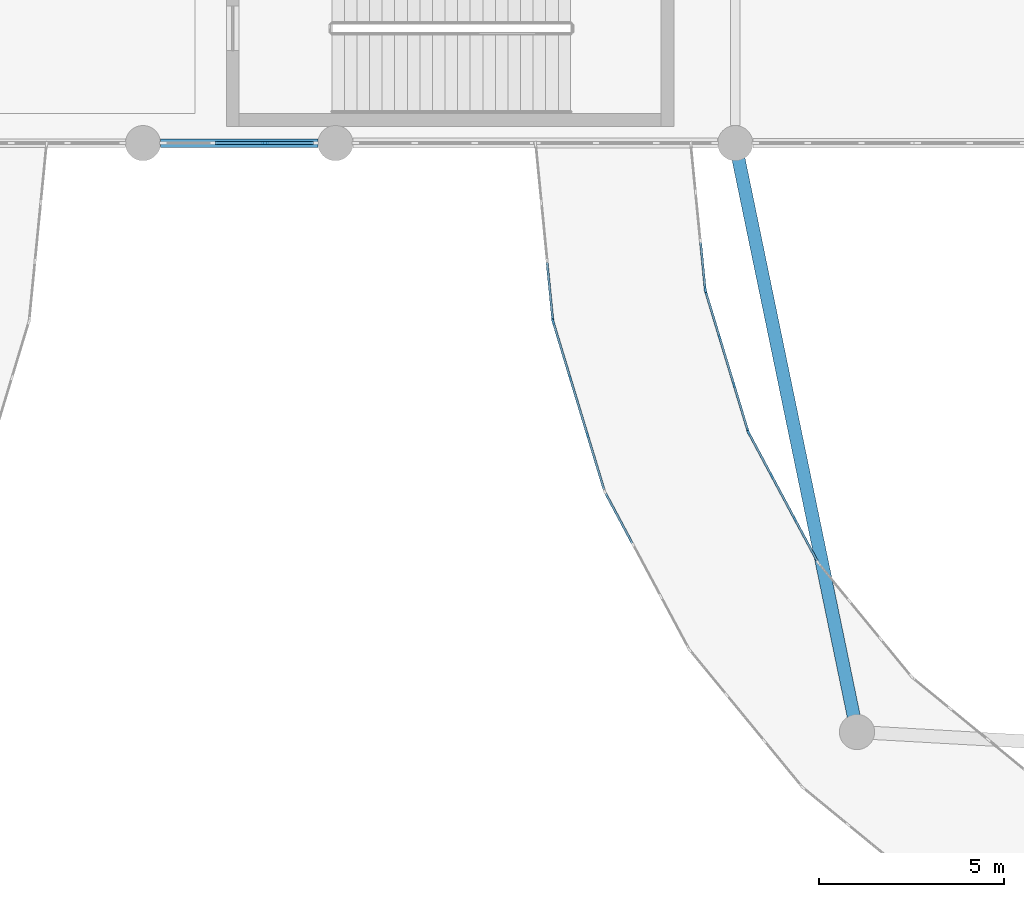
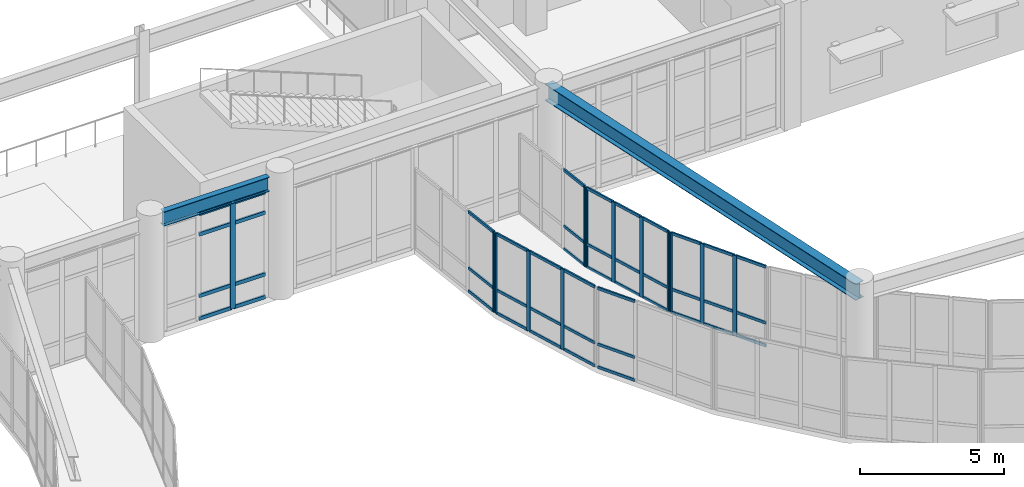
# One storey, part 28 of 72: 57 members, 2 beams, 7 elements without a shape of their own.
"""IFC4 building model written with IfcOpenShell, lengths in metres."""

from ifc_helpers import new_model, si_unit, direction, frame, origin, origin_2d, place, context, subcontext, project, spatial, rectangle, i_section, extrude, material, material_profile, profile_set, type_object, element, aggregate, save


model = new_model("IFC4")

# Units and contexts
model_context = context("Model", 3, precision=1e-05, world=origin(), true_north=direction((0.0, 1.0)))
body_context = subcontext(model_context, "Body", "Model", "MODEL_VIEW")
ifc_project = project(units=[si_unit("LENGTHUNIT", "METRE"), si_unit("AREAUNIT", "SQUARE_METRE"), si_unit("VOLUMEUNIT", "CUBIC_METRE"), si_unit("PLANEANGLEUNIT", "RADIAN"), si_unit("MASSUNIT", "GRAM", prefix="KILO")], contexts=[model_context])

# Site, building, storey
site_placement = place(None, origin())
site = spatial("IfcSite", under=ifc_project, at=site_placement, CompositionType="ELEMENT")
building_placement = place(site_placement, origin())
building = spatial("IfcBuilding", under=site, at=building_placement, Name="Veldera Park Congress Hotel", CompositionType="ELEMENT")
storey_placement = place(building_placement, frame((0.0, 0.0, 5.39990234375)))
storey = spatial("IfcBuildingStorey", under=building, at=storey_placement, Name="L01", CompositionType="ELEMENT", Elevation=5.39990234375)

# Beams
ifc_material_1 = material(Name="Steel ASTM A992 Gr.50", Category="steel")
ifc_material_profile_1 = material_profile(ifc_material_1, i_section(OverallWidth=0.22900390625, OverallDepth=0.612060546875, WebThickness=0.011962890625, FlangeThickness=0.01953125, at=origin_2d()), Name="W24X84")
ifc_profile_set_1 = profile_set([ifc_material_profile_1], Name="Steel ASTM A992 Gr.50")
beam_type_1 = type_object("IfcBeamType", Name="BM-W24", PredefinedType="BEAM", material=ifc_profile_set_1)
beam_1_placement = place(storey_placement, frame((26.074951171875, 17.39990234375, 4.82421875), z_axis=(1.0, 0.0, 0.0), x_axis=(0.0, 1.0, 0.0)))
element("IfcBeam", 1, at=beam_1_placement, inside=storey, type_object=beam_type_1, Name="L01 Girder BM-W24 603", PredefinedType="BEAM", context=body_context, shape_type="SweptSolid", body=[
    extrude(i_section(OverallWidth=0.22900390625, OverallDepth=0.612060546875, WebThickness=0.011962890625, FlangeThickness=0.01953125, at=origin_2d()), origin(), (0.0, 0.0, 1.0), 4.25),
])
ifc_material_profile_2 = material_profile(ifc_material_1, i_section(OverallWidth=0.35498046875, OverallDepth=0.696044921875, WebThickness=0.015380859375, FlangeThickness=0.02490234375, at=origin_2d()), Name="W27X146")
ifc_profile_set_2 = profile_set([ifc_material_profile_2], Name="Steel ASTM A992 Gr.50")
beam_type_2 = type_object("IfcBeamType", Name="BM-W27E", PredefinedType="BEAM", material=ifc_profile_set_2)
beam_2_placement = place(storey_placement, frame((44.89013671875, 1.489990234375, 4.7900390625), z_axis=(-0.202507214796, 0.979280770747, 0.0), x_axis=(-0.979280770747, -0.202507214796, 0.0)))
element("IfcBeam", 2, at=beam_2_placement, inside=storey, type_object=beam_type_2, Name="L01 Skybridge Support Girder B E", PredefinedType="BEAM", context=body_context, shape_type="SweptSolid", body=[
    extrude(i_section(OverallWidth=0.35498046875, OverallDepth=0.696044921875, WebThickness=0.015380859375, FlangeThickness=0.02490234375, at=origin_2d()), origin(), (0.0, 0.0, 1.0), 16.24658203125),
])

# Curtain wall, member
ifc_material_2 = material(Name="Low-E Triple Insulating Glass Unit (SHGC 0.22)", Category="glass")
curtain_wall_type_1 = type_object("IfcCurtainWallType", Name="CW-BRG", PredefinedType="NOTDEFINED", material=ifc_material_2)
curtain_wall_1_placement = place(storey_placement, origin())
curtain_wall_1 = element("IfcCurtainWall", 3, at=curtain_wall_1_placement, inside=storey, type_object=curtain_wall_type_1, Name="L01 Curtain Wall CW3-BRGE-L01-A00", PredefinedType="NOTDEFINED")
ifc_material_3 = material(Name="Anodised Aluminium Alloy 6063-T6", Category="aluminium")
ifc_material_profile_3 = material_profile(ifc_material_3, rectangle(XDim=0.06005859375, YDim=0.159912109375, at=origin_2d()), Name="ALU 60x160")
ifc_profile_set_3 = profile_set([ifc_material_profile_3], Name="Anodised Aluminium Alloy 6063-T6")
member_type_1 = type_object("IfcMemberType", Name="CWM-160", PredefinedType="MULLION", material=ifc_profile_set_3)
member_1_placement = place(storey_placement, frame((36.669677734375, 12.630615234375, 0.0), z_axis=(0.0, 0.0, 1.0), x_axis=(0.995184320963, 0.098021259481, 0.0)))
member_1 = element("IfcMember", 4, at=member_1_placement, type_object=member_type_1, Name="CW-BRG mullion 4", PredefinedType="MULLION", context=body_context, shape_type="SweptSolid", body=[
    extrude(rectangle(XDim=0.06005859375, YDim=0.159912109375, at=origin_2d()), origin(), (0.0, 0.0, 1.0), 3.400146484375),
])

# Curtain wall, members
curtain_wall_2_placement = place(storey_placement, origin())
curtain_wall_2 = element("IfcCurtainWall", 5, at=curtain_wall_2_placement, inside=storey, type_object=curtain_wall_type_1, Name="L01 Curtain Wall CW3-BRGE-L01-A01", PredefinedType="NOTDEFINED")
member_2_placement = place(storey_placement, frame((36.681396484375, 12.572021484375, 0.0), z_axis=(0.0, 0.0, 1.0), x_axis=(0.956939429957, 0.290287663177, 0.0)))
member_2 = element("IfcMember", 6, at=member_2_placement, type_object=member_type_1, Name="CW-BRG mullion 1", PredefinedType="MULLION", context=body_context, shape_type="SweptSolid", body=[
    extrude(rectangle(XDim=0.06005859375, YDim=0.159912109375, at=origin_2d()), origin(), (0.0, 0.0, 1.0), 3.400146484375),
])
member_3_placement = place(storey_placement, frame((37.139404296875, 11.0625, 0.0), z_axis=(0.0, 0.0, 1.0), x_axis=(0.956939429957, 0.290287663177, 0.0)))
member_3 = element("IfcMember", 7, at=member_3_placement, type_object=member_type_1, Name="CW-BRG mullion 2", PredefinedType="MULLION", context=body_context, shape_type="SweptSolid", body=[
    extrude(rectangle(XDim=0.06005859375, YDim=0.159912109375, at=origin_2d()), origin(), (0.0, 0.0, 1.0), 3.400146484375),
])
member_4_placement = place(storey_placement, frame((37.60595703125, 9.524169921875, 0.0), z_axis=(0.0, 0.0, 1.0), x_axis=(0.956939429957, 0.290287663177, 0.0)))
member_4 = element("IfcMember", 8, at=member_4_placement, type_object=member_type_1, Name="CW-BRG mullion 3", PredefinedType="MULLION", context=body_context, shape_type="SweptSolid", body=[
    extrude(rectangle(XDim=0.06005859375, YDim=0.159912109375, at=origin_2d()), origin(), (0.0, 0.0, 1.0), 3.400146484375),
])

curtain_wall_3_placement = place(storey_placement, origin())
curtain_wall_3 = element("IfcCurtainWall", 9, at=curtain_wall_3_placement, inside=storey, type_object=curtain_wall_type_1, Name="L01 Curtain Wall CW3-BRGE-L01-B14", PredefinedType="NOTDEFINED")
member_5_placement = place(storey_placement, frame((43.209716796875, 7.241943359375, 0.0), z_axis=(0.0, 0.0, 1.0), x_axis=(-0.881928263239, -0.471383642588, 0.0)))
member_5 = element("IfcMember", 10, at=member_5_placement, type_object=member_type_1, Name="CW-BRG mullion 2", PredefinedType="MULLION", context=body_context, shape_type="SweptSolid", body=[
    extrude(rectangle(XDim=0.06005859375, YDim=0.159912109375, at=origin_2d()), origin(), (0.0, 0.0, 1.0), 3.400146484375),
])
member_6_placement = place(storey_placement, frame((42.581298828125, 8.417724609375, 0.0), z_axis=(0.0, 0.0, 1.0), x_axis=(-0.881928263239, -0.471383642588, 0.0)))
member_6 = element("IfcMember", 11, at=member_6_placement, type_object=member_type_1, Name="CW-BRG mullion 3", PredefinedType="MULLION", context=body_context, shape_type="SweptSolid", body=[
    extrude(rectangle(XDim=0.06005859375, YDim=0.159912109375, at=origin_2d()), origin(), (0.0, 0.0, 1.0), 3.400146484375),
])
member_7_placement = place(storey_placement, frame((41.967041015625, 9.56689453125, 0.0), z_axis=(0.0, 0.0, 1.0), x_axis=(-0.881928263239, -0.471383642588, 0.0)))
member_7 = element("IfcMember", 12, at=member_7_placement, type_object=member_type_1, Name="CW-BRG mullion 4", PredefinedType="MULLION", context=body_context, shape_type="SweptSolid", body=[
    extrude(rectangle(XDim=0.06005859375, YDim=0.159912109375, at=origin_2d()), origin(), (0.0, 0.0, 1.0), 3.400146484375),
])

curtain_wall_4_placement = place(storey_placement, origin())
curtain_wall_4 = element("IfcCurtainWall", 13, at=curtain_wall_4_placement, inside=storey, type_object=curtain_wall_type_1, Name="L01 Curtain Wall CW3-BRGE-L01-B15", PredefinedType="NOTDEFINED")
member_8_placement = place(storey_placement, frame((41.944091796875, 9.6220703125, 0.0), z_axis=(0.0, 0.0, 1.0), x_axis=(-0.956938767513, -0.290289846929, 0.0)))
member_8 = element("IfcMember", 14, at=member_8_placement, type_object=member_type_1, Name="CW-BRG mullion 1", PredefinedType="MULLION", context=body_context, shape_type="SweptSolid", body=[
    extrude(rectangle(XDim=0.06005859375, YDim=0.159912109375, at=origin_2d()), origin(), (0.0, 0.0, 1.0), 3.400146484375),
])
member_9_placement = place(storey_placement, frame((41.56591796875, 10.868896484375, 0.0), z_axis=(0.0, 0.0, 1.0), x_axis=(-0.956938767513, -0.290289846929, 0.0)))
member_9 = element("IfcMember", 15, at=member_9_placement, type_object=member_type_1, Name="CW-BRG mullion 2", PredefinedType="MULLION", context=body_context, shape_type="SweptSolid", body=[
    extrude(rectangle(XDim=0.06005859375, YDim=0.159912109375, at=origin_2d()), origin(), (0.0, 0.0, 1.0), 3.400146484375),
])
member_10_placement = place(storey_placement, frame((41.178955078125, 12.14453125, 0.0), z_axis=(0.0, 0.0, 1.0), x_axis=(-0.956938767513, -0.290289846929, 0.0)))
member_10 = element("IfcMember", 16, at=member_10_placement, type_object=member_type_1, Name="CW-BRG mullion 3", PredefinedType="MULLION", context=body_context, shape_type="SweptSolid", body=[
    extrude(rectangle(XDim=0.06005859375, YDim=0.159912109375, at=origin_2d()), origin(), (0.0, 0.0, 1.0), 3.400146484375),
])
member_11_placement = place(storey_placement, frame((40.80078125, 13.3916015625, 0.0), z_axis=(0.0, 0.0, 1.0), x_axis=(-0.956938767513, -0.290289846929, 0.0)))
member_11 = element("IfcMember", 17, at=member_11_placement, type_object=member_type_1, Name="CW-BRG mullion 4", PredefinedType="MULLION", context=body_context, shape_type="SweptSolid", body=[
    extrude(rectangle(XDim=0.06005859375, YDim=0.159912109375, at=origin_2d()), origin(), (0.0, 0.0, 1.0), 3.400146484375),
])

# Curtain wall, member
curtain_wall_5_placement = place(storey_placement, origin())
curtain_wall_5 = element("IfcCurtainWall", 18, at=curtain_wall_5_placement, inside=storey, type_object=curtain_wall_type_1, Name="L01 Curtain Wall CW3-BRGE-L01-B16", PredefinedType="NOTDEFINED")
member_12_placement = place(storey_placement, frame((40.7890625, 13.449951171875, 0.0), z_axis=(0.0, 0.0, 1.0), x_axis=(-0.99518414337, -0.098023062513, 0.0)))
member_12 = element("IfcMember", 19, at=member_12_placement, type_object=member_type_1, Name="CW-BRG mullion 1", PredefinedType="MULLION", context=body_context, shape_type="SweptSolid", body=[
    extrude(rectangle(XDim=0.06005859375, YDim=0.159912109375, at=origin_2d()), origin(), (0.0, 0.0, 1.0), 3.400146484375),
])

curtain_wall_type_2 = type_object("IfcCurtainWallType", Name="CW-POD", PredefinedType="NOTDEFINED", material=ifc_material_2)
curtain_wall_6_placement = place(storey_placement, origin())
curtain_wall_6 = element("IfcCurtainWall", 20, at=curtain_wall_6_placement, inside=storey, type_object=curtain_wall_type_2, Name="L01 Curtain Wall CW3-V2S-L01-034", PredefinedType="NOTDEFINED")
ifc_material_profile_4 = material_profile(ifc_material_3, rectangle(XDim=0.074951171875, YDim=0.199951171875, at=origin_2d()), Name="ALU 75x200")
ifc_profile_set_4 = profile_set([ifc_material_profile_4], Name="Anodised Aluminium Alloy 6063-T6")
member_type_2 = type_object("IfcMemberType", Name="CWM-200", PredefinedType="MULLION", material=ifc_profile_set_4)
member_13_placement = place(storey_placement, frame((28.89501953125, 17.39990234375, 0.0), z_axis=(0.0, 0.0, 1.0), x_axis=(0.0, 1.0, 0.0)))
member_13 = element("IfcMember", 21, at=member_13_placement, type_object=member_type_2, Name="CW-POD mullion 3", PredefinedType="MULLION", context=body_context, shape_type="SweptSolid", body=[
    extrude(rectangle(XDim=0.074951171875, YDim=0.199951171875, at=origin_2d()), origin(), (0.0, 0.0, 1.0), 4.51318359375),
])

# Member
ifc_material_profile_5 = material_profile(ifc_material_3, rectangle(XDim=0.06005859375, YDim=0.1201171875, at=origin_2d()), Name="ALU 60x120")
ifc_profile_set_5 = profile_set([ifc_material_profile_5], Name="Anodised Aluminium Alloy 6063-T6")
member_type_3 = type_object("IfcMemberType", Name="CWT-120", PredefinedType="USERDEFINED", material=ifc_profile_set_5)
member_14_placement = place(storey_placement, frame((36.51806640625, 14.170654296875, 0.030029296875), z_axis=(0.097974467756, -0.99518892863, 0.0), x_axis=(0.99518892863, 0.097974467756, 0.0)))
member_14 = element("IfcMember", 22, at=member_14_placement, type_object=member_type_3, Name="CW-BRG transom 3.1", ObjectType="TRANSOM", PredefinedType="USERDEFINED", context=body_context, shape_type="SweptSolid", body=[
    extrude(rectangle(XDim=0.06005859375, YDim=0.1201171875, at=origin_2d()), origin(), (0.0, 0.0, 1.0), 1.517578125),
])

member_15_placement = place(storey_placement, frame((36.51806640625, 14.170654296875, 1.0), z_axis=(0.097974467756, -0.99518892863, 0.0), x_axis=(0.99518892863, 0.097974467756, 0.0)))
member_15 = element("IfcMember", 23, at=member_15_placement, type_object=member_type_3, Name="CW-BRG transom 3.2", ObjectType="TRANSOM", PredefinedType="USERDEFINED", context=body_context, shape_type="SweptSolid", body=[
    extrude(rectangle(XDim=0.06005859375, YDim=0.1201171875, at=origin_2d()), origin(), (0.0, 0.0, 1.0), 1.517578125),
])

member_16_placement = place(storey_placement, frame((36.51806640625, 14.170654296875, 3.3701171875), z_axis=(0.097974467756, -0.99518892863, 0.0), x_axis=(0.99518892863, 0.097974467756, 0.0)))
member_16 = element("IfcMember", 24, at=member_16_placement, type_object=member_type_3, Name="CW-BRG transom 3.3", ObjectType="TRANSOM", PredefinedType="USERDEFINED", context=body_context, shape_type="SweptSolid", body=[
    extrude(rectangle(XDim=0.06005859375, YDim=0.1201171875, at=origin_2d()), origin(), (0.0, 0.0, 1.0), 1.517578125),
])

aggregate(curtain_wall_1, [member_1, member_14, member_15, member_16])

member_17_placement = place(storey_placement, frame((36.690185546875, 12.54345703125, 0.030029296875), z_axis=(0.290239583177, -0.956954013711, 0.0), x_axis=(0.956954013711, 0.290239583177, 0.0)))
member_17 = element("IfcMember", 25, at=member_17_placement, type_object=member_type_3, Name="CW-BRG transom 1.1", ObjectType="TRANSOM", PredefinedType="USERDEFINED", context=body_context, shape_type="SweptSolid", body=[
    extrude(rectangle(XDim=0.06005859375, YDim=0.1201171875, at=origin_2d()), origin(), (0.0, 0.0, 1.0), 1.517578125),
])

member_18_placement = place(storey_placement, frame((36.690185546875, 12.54345703125, 1.0), z_axis=(0.290239583177, -0.956954013711, 0.0), x_axis=(0.956954013711, 0.290239583177, 0.0)))
member_18 = element("IfcMember", 26, at=member_18_placement, type_object=member_type_3, Name="CW-BRG transom 1.2", ObjectType="TRANSOM", PredefinedType="USERDEFINED", context=body_context, shape_type="SweptSolid", body=[
    extrude(rectangle(XDim=0.06005859375, YDim=0.1201171875, at=origin_2d()), origin(), (0.0, 0.0, 1.0), 1.517578125),
])

member_19_placement = place(storey_placement, frame((36.690185546875, 12.54345703125, 3.3701171875), z_axis=(0.290239583177, -0.956954013711, 0.0), x_axis=(0.956954013711, 0.290239583177, 0.0)))
member_19 = element("IfcMember", 27, at=member_19_placement, type_object=member_type_3, Name="CW-BRG transom 1.3", ObjectType="TRANSOM", PredefinedType="USERDEFINED", context=body_context, shape_type="SweptSolid", body=[
    extrude(rectangle(XDim=0.06005859375, YDim=0.1201171875, at=origin_2d()), origin(), (0.0, 0.0, 1.0), 1.517578125),
])

member_20_placement = place(storey_placement, frame((37.14794921875, 11.033935546875, 0.030029296875), z_axis=(0.29027008903, -0.9569447609, 0.0), x_axis=(0.9569447609, 0.29027008903, 0.0)))
member_20 = element("IfcMember", 28, at=member_20_placement, type_object=member_type_3, Name="CW-BRG transom 2.1", ObjectType="TRANSOM", PredefinedType="USERDEFINED", context=body_context, shape_type="SweptSolid", body=[
    extrude(rectangle(XDim=0.06005859375, YDim=0.1201171875, at=origin_2d()), origin(), (0.0, 0.0, 1.0), 1.547607421875),
])

member_21_placement = place(storey_placement, frame((37.14794921875, 11.033935546875, 1.0), z_axis=(0.29027008903, -0.9569447609, 0.0), x_axis=(0.9569447609, 0.29027008903, 0.0)))
member_21 = element("IfcMember", 29, at=member_21_placement, type_object=member_type_3, Name="CW-BRG transom 2.2", ObjectType="TRANSOM", PredefinedType="USERDEFINED", context=body_context, shape_type="SweptSolid", body=[
    extrude(rectangle(XDim=0.06005859375, YDim=0.1201171875, at=origin_2d()), origin(), (0.0, 0.0, 1.0), 1.547607421875),
])

member_22_placement = place(storey_placement, frame((37.14794921875, 11.033935546875, 3.3701171875), z_axis=(0.29027008903, -0.9569447609, 0.0), x_axis=(0.9569447609, 0.29027008903, 0.0)))
member_22 = element("IfcMember", 30, at=member_22_placement, type_object=member_type_3, Name="CW-BRG transom 2.3", ObjectType="TRANSOM", PredefinedType="USERDEFINED", context=body_context, shape_type="SweptSolid", body=[
    extrude(rectangle(XDim=0.06005859375, YDim=0.1201171875, at=origin_2d()), origin(), (0.0, 0.0, 1.0), 1.547607421875),
])

member_23_placement = place(storey_placement, frame((37.61474609375, 9.49560546875, 0.030029296875), z_axis=(0.290239583177, -0.956954013711, 0.0), x_axis=(0.956954013711, 0.290239583177, 0.0)))
member_23 = element("IfcMember", 31, at=member_23_placement, type_object=member_type_3, Name="CW-BRG transom 3.1", ObjectType="TRANSOM", PredefinedType="USERDEFINED", context=body_context, shape_type="SweptSolid", body=[
    extrude(rectangle(XDim=0.06005859375, YDim=0.1201171875, at=origin_2d()), origin(), (0.0, 0.0, 1.0), 1.517578125),
])

member_24_placement = place(storey_placement, frame((37.61474609375, 9.49560546875, 1.0), z_axis=(0.290239583177, -0.956954013711, 0.0), x_axis=(0.956954013711, 0.290239583177, 0.0)))
member_24 = element("IfcMember", 32, at=member_24_placement, type_object=member_type_3, Name="CW-BRG transom 3.2", ObjectType="TRANSOM", PredefinedType="USERDEFINED", context=body_context, shape_type="SweptSolid", body=[
    extrude(rectangle(XDim=0.06005859375, YDim=0.1201171875, at=origin_2d()), origin(), (0.0, 0.0, 1.0), 1.517578125),
])

member_25_placement = place(storey_placement, frame((37.61474609375, 9.49560546875, 3.3701171875), z_axis=(0.290239583177, -0.956954013711, 0.0), x_axis=(0.956954013711, 0.290239583177, 0.0)))
member_25 = element("IfcMember", 33, at=member_25_placement, type_object=member_type_3, Name="CW-BRG transom 3.3", ObjectType="TRANSOM", PredefinedType="USERDEFINED", context=body_context, shape_type="SweptSolid", body=[
    extrude(rectangle(XDim=0.06005859375, YDim=0.1201171875, at=origin_2d()), origin(), (0.0, 0.0, 1.0), 1.517578125),
])

aggregate(curtain_wall_2, [member_2, member_3, member_4, member_17, member_18, member_19, member_20, member_21, member_22, member_23, member_24, member_25])

# Curtain wall, members
curtain_wall_7_placement = place(storey_placement, origin())
curtain_wall_7 = element("IfcCurtainWall", 34, at=curtain_wall_7_placement, inside=storey, type_object=curtain_wall_type_1, Name="L01 Curtain Wall CW3-BRGE-L01-A02", PredefinedType="NOTDEFINED")
member_26_placement = place(storey_placement, frame((38.100830078125, 7.93310546875, 0.030029296875), z_axis=(0.4713729563, -0.881933974892, 0.0), x_axis=(0.881933974892, 0.4713729563, 0.0)))
member_26 = element("IfcMember", 35, at=member_26_placement, type_object=member_type_3, Name="CW-BRG transom 1.1", ObjectType="TRANSOM", PredefinedType="USERDEFINED", context=body_context, shape_type="SweptSolid", body=[
    extrude(rectangle(XDim=0.06005859375, YDim=0.1201171875, at=origin_2d()), origin(), (0.0, 0.0, 1.0), 1.517578125),
])
member_27_placement = place(storey_placement, frame((38.100830078125, 7.93310546875, 1.0), z_axis=(0.4713729563, -0.881933974892, 0.0), x_axis=(0.881933974892, 0.4713729563, 0.0)))
member_27 = element("IfcMember", 36, at=member_27_placement, type_object=member_type_3, Name="CW-BRG transom 1.2", ObjectType="TRANSOM", PredefinedType="USERDEFINED", context=body_context, shape_type="SweptSolid", body=[
    extrude(rectangle(XDim=0.06005859375, YDim=0.1201171875, at=origin_2d()), origin(), (0.0, 0.0, 1.0), 1.517578125),
])
member_28_placement = place(storey_placement, frame((38.100830078125, 7.93310546875, 3.3701171875), z_axis=(0.4713729563, -0.881933974892, 0.0), x_axis=(0.881933974892, 0.4713729563, 0.0)))
member_28 = element("IfcMember", 37, at=member_28_placement, type_object=member_type_3, Name="CW-BRG transom 1.3", ObjectType="TRANSOM", PredefinedType="USERDEFINED", context=body_context, shape_type="SweptSolid", body=[
    extrude(rectangle(XDim=0.06005859375, YDim=0.1201171875, at=origin_2d()), origin(), (0.0, 0.0, 1.0), 1.517578125),
])
aggregate(curtain_wall_7, [member_26, member_27, member_28])

# Member
member_29_placement = place(storey_placement, frame((43.809814453125, 6.119384765625, 0.030029296875), z_axis=(-0.471403611449, 0.881917589752, 0.0), x_axis=(-0.881917589752, -0.471403611449, 0.0)))
member_29 = element("IfcMember", 38, at=member_29_placement, type_object=member_type_3, Name="CW-BRG transom 1.1", ObjectType="TRANSOM", PredefinedType="USERDEFINED", context=body_context, shape_type="SweptSolid", body=[
    extrude(rectangle(XDim=0.06005859375, YDim=0.1201171875, at=origin_2d()), origin(), (0.0, 0.0, 1.0), 1.242919921875),
])

member_30_placement = place(storey_placement, frame((43.809814453125, 6.119384765625, 1.0), z_axis=(-0.471403611449, 0.881917589752, 0.0), x_axis=(-0.881917589752, -0.471403611449, 0.0)))
member_30 = element("IfcMember", 39, at=member_30_placement, type_object=member_type_3, Name="CW-BRG transom 1.2", ObjectType="TRANSOM", PredefinedType="USERDEFINED", context=body_context, shape_type="SweptSolid", body=[
    extrude(rectangle(XDim=0.06005859375, YDim=0.1201171875, at=origin_2d()), origin(), (0.0, 0.0, 1.0), 1.242919921875),
])

member_31_placement = place(storey_placement, frame((43.809814453125, 6.119384765625, 3.3701171875), z_axis=(-0.471403611449, 0.881917589752, 0.0), x_axis=(-0.881917589752, -0.471403611449, 0.0)))
member_31 = element("IfcMember", 40, at=member_31_placement, type_object=member_type_3, Name="CW-BRG transom 1.3", ObjectType="TRANSOM", PredefinedType="USERDEFINED", context=body_context, shape_type="SweptSolid", body=[
    extrude(rectangle(XDim=0.06005859375, YDim=0.1201171875, at=origin_2d()), origin(), (0.0, 0.0, 1.0), 1.242919921875),
])

member_32_placement = place(storey_placement, frame((43.195556640625, 7.2685546875, 0.030029296875), z_axis=(-0.471444144802, 0.881895922619, 0.0), x_axis=(-0.881895922619, -0.471444144802, 0.0)))
member_32 = element("IfcMember", 41, at=member_32_placement, type_object=member_type_3, Name="CW-BRG transom 2.1", ObjectType="TRANSOM", PredefinedType="USERDEFINED", context=body_context, shape_type="SweptSolid", body=[
    extrude(rectangle(XDim=0.06005859375, YDim=0.1201171875, at=origin_2d()), origin(), (0.0, 0.0, 1.0), 1.27294921875),
])

member_33_placement = place(storey_placement, frame((43.195556640625, 7.2685546875, 1.0), z_axis=(-0.471444144802, 0.881895922619, 0.0), x_axis=(-0.881895922619, -0.471444144802, 0.0)))
member_33 = element("IfcMember", 42, at=member_33_placement, type_object=member_type_3, Name="CW-BRG transom 2.2", ObjectType="TRANSOM", PredefinedType="USERDEFINED", context=body_context, shape_type="SweptSolid", body=[
    extrude(rectangle(XDim=0.06005859375, YDim=0.1201171875, at=origin_2d()), origin(), (0.0, 0.0, 1.0), 1.27294921875),
])

member_34_placement = place(storey_placement, frame((43.195556640625, 7.2685546875, 3.3701171875), z_axis=(-0.471444144802, 0.881895922619, 0.0), x_axis=(-0.881895922619, -0.471444144802, 0.0)))
member_34 = element("IfcMember", 43, at=member_34_placement, type_object=member_type_3, Name="CW-BRG transom 2.3", ObjectType="TRANSOM", PredefinedType="USERDEFINED", context=body_context, shape_type="SweptSolid", body=[
    extrude(rectangle(XDim=0.06005859375, YDim=0.1201171875, at=origin_2d()), origin(), (0.0, 0.0, 1.0), 1.27294921875),
])

member_35_placement = place(storey_placement, frame((42.567138671875, 8.444091796875, 0.030029296875), z_axis=(-0.471403611449, 0.881917589752, 0.0), x_axis=(-0.881917589752, -0.471403611449, 0.0)))
member_35 = element("IfcMember", 44, at=member_35_placement, type_object=member_type_3, Name="CW-BRG transom 3.1", ObjectType="TRANSOM", PredefinedType="USERDEFINED", context=body_context, shape_type="SweptSolid", body=[
    extrude(rectangle(XDim=0.06005859375, YDim=0.1201171875, at=origin_2d()), origin(), (0.0, 0.0, 1.0), 1.242919921875),
])

member_36_placement = place(storey_placement, frame((42.567138671875, 8.444091796875, 1.0), z_axis=(-0.471403611449, 0.881917589752, 0.0), x_axis=(-0.881917589752, -0.471403611449, 0.0)))
member_36 = element("IfcMember", 45, at=member_36_placement, type_object=member_type_3, Name="CW-BRG transom 3.2", ObjectType="TRANSOM", PredefinedType="USERDEFINED", context=body_context, shape_type="SweptSolid", body=[
    extrude(rectangle(XDim=0.06005859375, YDim=0.1201171875, at=origin_2d()), origin(), (0.0, 0.0, 1.0), 1.242919921875),
])

member_37_placement = place(storey_placement, frame((42.567138671875, 8.444091796875, 3.3701171875), z_axis=(-0.471403611449, 0.881917589752, 0.0), x_axis=(-0.881917589752, -0.471403611449, 0.0)))
member_37 = element("IfcMember", 46, at=member_37_placement, type_object=member_type_3, Name="CW-BRG transom 3.3", ObjectType="TRANSOM", PredefinedType="USERDEFINED", context=body_context, shape_type="SweptSolid", body=[
    extrude(rectangle(XDim=0.06005859375, YDim=0.1201171875, at=origin_2d()), origin(), (0.0, 0.0, 1.0), 1.242919921875),
])

aggregate(curtain_wall_3, [member_5, member_6, member_7, member_29, member_30, member_31, member_32, member_33, member_34, member_35, member_36, member_37])

member_38_placement = place(storey_placement, frame((41.935546875, 9.650634765625, 0.030029296875), z_axis=(-0.290247202296, 0.956951702835, 0.0), x_axis=(-0.956951702835, -0.290247202296, 0.0)))
member_38 = element("IfcMember", 47, at=member_38_placement, type_object=member_type_3, Name="CW-BRG transom 1.1", ObjectType="TRANSOM", PredefinedType="USERDEFINED", context=body_context, shape_type="SweptSolid", body=[
    extrude(rectangle(XDim=0.06005859375, YDim=0.1201171875, at=origin_2d()), origin(), (0.0, 0.0, 1.0), 1.2431640625),
])

member_39_placement = place(storey_placement, frame((41.935546875, 9.650634765625, 1.0), z_axis=(-0.290247202296, 0.956951702835, 0.0), x_axis=(-0.956951702835, -0.290247202296, 0.0)))
member_39 = element("IfcMember", 48, at=member_39_placement, type_object=member_type_3, Name="CW-BRG transom 1.2", ObjectType="TRANSOM", PredefinedType="USERDEFINED", context=body_context, shape_type="SweptSolid", body=[
    extrude(rectangle(XDim=0.06005859375, YDim=0.1201171875, at=origin_2d()), origin(), (0.0, 0.0, 1.0), 1.2431640625),
])

member_40_placement = place(storey_placement, frame((41.935546875, 9.650634765625, 3.3701171875), z_axis=(-0.290247202296, 0.956951702835, 0.0), x_axis=(-0.956951702835, -0.290247202296, 0.0)))
member_40 = element("IfcMember", 49, at=member_40_placement, type_object=member_type_3, Name="CW-BRG transom 1.3", ObjectType="TRANSOM", PredefinedType="USERDEFINED", context=body_context, shape_type="SweptSolid", body=[
    extrude(rectangle(XDim=0.06005859375, YDim=0.1201171875, at=origin_2d()), origin(), (0.0, 0.0, 1.0), 1.2431640625),
])

member_41_placement = place(storey_placement, frame((41.55712890625, 10.897705078125, 0.030029296875), z_axis=(-0.290161750284, 0.956977616599, 0.0), x_axis=(-0.956977616599, -0.290161750284, 0.0)))
member_41 = element("IfcMember", 50, at=member_41_placement, type_object=member_type_3, Name="CW-BRG transom 2.1", ObjectType="TRANSOM", PredefinedType="USERDEFINED", context=body_context, shape_type="SweptSolid", body=[
    extrude(rectangle(XDim=0.06005859375, YDim=0.1201171875, at=origin_2d()), origin(), (0.0, 0.0, 1.0), 1.27294921875),
])

member_42_placement = place(storey_placement, frame((41.55712890625, 10.897705078125, 1.0), z_axis=(-0.290161750284, 0.956977616599, 0.0), x_axis=(-0.956977616599, -0.290161750284, 0.0)))
member_42 = element("IfcMember", 51, at=member_42_placement, type_object=member_type_3, Name="CW-BRG transom 2.2", ObjectType="TRANSOM", PredefinedType="USERDEFINED", context=body_context, shape_type="SweptSolid", body=[
    extrude(rectangle(XDim=0.06005859375, YDim=0.1201171875, at=origin_2d()), origin(), (0.0, 0.0, 1.0), 1.27294921875),
])

member_43_placement = place(storey_placement, frame((41.55712890625, 10.897705078125, 3.3701171875), z_axis=(-0.290161750284, 0.956977616599, 0.0), x_axis=(-0.956977616599, -0.290161750284, 0.0)))
member_43 = element("IfcMember", 52, at=member_43_placement, type_object=member_type_3, Name="CW-BRG transom 2.3", ObjectType="TRANSOM", PredefinedType="USERDEFINED", context=body_context, shape_type="SweptSolid", body=[
    extrude(rectangle(XDim=0.06005859375, YDim=0.1201171875, at=origin_2d()), origin(), (0.0, 0.0, 1.0), 1.27294921875),
])

member_44_placement = place(storey_placement, frame((41.170166015625, 12.17333984375, 0.030029296875), z_axis=(-0.290301756665, 0.956935154583, 0.0), x_axis=(-0.956935154583, -0.290301756665, 0.0)))
member_44 = element("IfcMember", 53, at=member_44_placement, type_object=member_type_3, Name="CW-BRG transom 3.1", ObjectType="TRANSOM", PredefinedType="USERDEFINED", context=body_context, shape_type="SweptSolid", body=[
    extrude(rectangle(XDim=0.06005859375, YDim=0.1201171875, at=origin_2d()), origin(), (0.0, 0.0, 1.0), 1.242919921875),
])

member_45_placement = place(storey_placement, frame((41.170166015625, 12.17333984375, 1.0), z_axis=(-0.290301756665, 0.956935154583, 0.0), x_axis=(-0.956935154583, -0.290301756665, 0.0)))
member_45 = element("IfcMember", 54, at=member_45_placement, type_object=member_type_3, Name="CW-BRG transom 3.2", ObjectType="TRANSOM", PredefinedType="USERDEFINED", context=body_context, shape_type="SweptSolid", body=[
    extrude(rectangle(XDim=0.06005859375, YDim=0.1201171875, at=origin_2d()), origin(), (0.0, 0.0, 1.0), 1.242919921875),
])

member_46_placement = place(storey_placement, frame((41.170166015625, 12.17333984375, 3.3701171875), z_axis=(-0.290301756665, 0.956935154583, 0.0), x_axis=(-0.956935154583, -0.290301756665, 0.0)))
member_46 = element("IfcMember", 55, at=member_46_placement, type_object=member_type_3, Name="CW-BRG transom 3.3", ObjectType="TRANSOM", PredefinedType="USERDEFINED", context=body_context, shape_type="SweptSolid", body=[
    extrude(rectangle(XDim=0.06005859375, YDim=0.1201171875, at=origin_2d()), origin(), (0.0, 0.0, 1.0), 1.242919921875),
])

aggregate(curtain_wall_4, [member_8, member_9, member_10, member_11, member_38, member_39, member_40, member_41, member_42, member_43, member_44, member_45, member_46])

member_47_placement = place(storey_placement, frame((40.7861328125, 13.47998046875, 0.030029296875), z_axis=(-0.098006258807, 0.995185798349, 0.0), x_axis=(-0.995185798349, -0.098006258807, 0.0)))
member_47 = element("IfcMember", 56, at=member_47_placement, type_object=member_type_3, Name="CW-BRG transom 1.1", ObjectType="TRANSOM", PredefinedType="USERDEFINED", context=body_context, shape_type="SweptSolid", body=[
    extrude(rectangle(XDim=0.06005859375, YDim=0.1201171875, at=origin_2d()), origin(), (0.0, 0.0, 1.0), 1.2431640625),
])

member_48_placement = place(storey_placement, frame((40.7861328125, 13.47998046875, 1.0), z_axis=(-0.098006258807, 0.995185798349, 0.0), x_axis=(-0.995185798349, -0.098006258807, 0.0)))
member_48 = element("IfcMember", 57, at=member_48_placement, type_object=member_type_3, Name="CW-BRG transom 1.2", ObjectType="TRANSOM", PredefinedType="USERDEFINED", context=body_context, shape_type="SweptSolid", body=[
    extrude(rectangle(XDim=0.06005859375, YDim=0.1201171875, at=origin_2d()), origin(), (0.0, 0.0, 1.0), 1.2431640625),
])

member_49_placement = place(storey_placement, frame((40.7861328125, 13.47998046875, 3.3701171875), z_axis=(-0.098006258807, 0.995185798349, 0.0), x_axis=(-0.995185798349, -0.098006258807, 0.0)))
member_49 = element("IfcMember", 58, at=member_49_placement, type_object=member_type_3, Name="CW-BRG transom 1.3", ObjectType="TRANSOM", PredefinedType="USERDEFINED", context=body_context, shape_type="SweptSolid", body=[
    extrude(rectangle(XDim=0.06005859375, YDim=0.1201171875, at=origin_2d()), origin(), (0.0, 0.0, 1.0), 1.2431640625),
])

aggregate(curtain_wall_5, [member_12, member_47, member_48, member_49])

ifc_material_profile_6 = material_profile(ifc_material_3, rectangle(XDim=0.074951171875, YDim=0.14990234375, at=origin_2d()), Name="ALU 75x150")
ifc_profile_set_6 = profile_set([ifc_material_profile_6], Name="Anodised Aluminium Alloy 6063-T6")
member_type_4 = type_object("IfcMemberType", Name="CWT-150", PredefinedType="USERDEFINED", material=ifc_profile_set_6)
member_50_placement = place(storey_placement, frame((27.54248046875, 17.39990234375, 0.03759765625), z_axis=(1.0, 0.0, 0.0), x_axis=(0.0, 1.0, 0.0)))
member_50 = element("IfcMember", 59, at=member_50_placement, type_object=member_type_4, Name="CW-POD transom 2.1", ObjectType="TRANSOM", PredefinedType="USERDEFINED", context=body_context, shape_type="SweptSolid", body=[
    extrude(rectangle(XDim=0.074951171875, YDim=0.14990234375, at=origin_2d()), origin(), (0.0, 0.0, 1.0), 1.31494140625),
])

member_51_placement = place(storey_placement, frame((27.54248046875, 17.39990234375, 1.0), z_axis=(1.0, 0.0, 0.0), x_axis=(0.0, 1.0, 0.0)))
member_51 = element("IfcMember", 60, at=member_51_placement, type_object=member_type_4, Name="CW-POD transom 2.2", ObjectType="TRANSOM", PredefinedType="USERDEFINED", context=body_context, shape_type="SweptSolid", body=[
    extrude(rectangle(XDim=0.074951171875, YDim=0.14990234375, at=origin_2d()), origin(), (0.0, 0.0, 1.0), 1.31494140625),
])

member_52_placement = place(storey_placement, frame((27.54248046875, 17.39990234375, 3.613037109375), z_axis=(1.0, 0.0, 0.0), x_axis=(0.0, 1.0, 0.0)))
member_52 = element("IfcMember", 61, at=member_52_placement, type_object=member_type_4, Name="CW-POD transom 2.3", ObjectType="TRANSOM", PredefinedType="USERDEFINED", context=body_context, shape_type="SweptSolid", body=[
    extrude(rectangle(XDim=0.074951171875, YDim=0.14990234375, at=origin_2d()), origin(), (0.0, 0.0, 1.0), 1.31494140625),
])

member_53_placement = place(storey_placement, frame((27.54248046875, 17.39990234375, 4.4755859375), z_axis=(1.0, 0.0, 0.0), x_axis=(0.0, 1.0, 0.0)))
member_53 = element("IfcMember", 62, at=member_53_placement, type_object=member_type_4, Name="CW-POD transom 2.4", ObjectType="TRANSOM", PredefinedType="USERDEFINED", context=body_context, shape_type="SweptSolid", body=[
    extrude(rectangle(XDim=0.074951171875, YDim=0.14990234375, at=origin_2d()), origin(), (0.0, 0.0, 1.0), 1.31494140625),
])

member_54_placement = place(storey_placement, frame((28.9326171875, 17.39990234375, 0.03759765625), z_axis=(1.0, 0.0, 0.0), x_axis=(0.0, 1.0, 0.0)))
member_54 = element("IfcMember", 63, at=member_54_placement, type_object=member_type_4, Name="CW-POD transom 3.1", ObjectType="TRANSOM", PredefinedType="USERDEFINED", context=body_context, shape_type="SweptSolid", body=[
    extrude(rectangle(XDim=0.074951171875, YDim=0.14990234375, at=origin_2d()), origin(), (0.0, 0.0, 1.0), 1.27734375),
])

member_55_placement = place(storey_placement, frame((28.9326171875, 17.39990234375, 1.0), z_axis=(1.0, 0.0, 0.0), x_axis=(0.0, 1.0, 0.0)))
member_55 = element("IfcMember", 64, at=member_55_placement, type_object=member_type_4, Name="CW-POD transom 3.2", ObjectType="TRANSOM", PredefinedType="USERDEFINED", context=body_context, shape_type="SweptSolid", body=[
    extrude(rectangle(XDim=0.074951171875, YDim=0.14990234375, at=origin_2d()), origin(), (0.0, 0.0, 1.0), 1.27734375),
])

member_56_placement = place(storey_placement, frame((28.9326171875, 17.39990234375, 3.613037109375), z_axis=(1.0, 0.0, 0.0), x_axis=(0.0, 1.0, 0.0)))
member_56 = element("IfcMember", 65, at=member_56_placement, type_object=member_type_4, Name="CW-POD transom 3.3", ObjectType="TRANSOM", PredefinedType="USERDEFINED", context=body_context, shape_type="SweptSolid", body=[
    extrude(rectangle(XDim=0.074951171875, YDim=0.14990234375, at=origin_2d()), origin(), (0.0, 0.0, 1.0), 1.27734375),
])

member_57_placement = place(storey_placement, frame((28.9326171875, 17.39990234375, 4.4755859375), z_axis=(1.0, 0.0, 0.0), x_axis=(0.0, 1.0, 0.0)))
member_57 = element("IfcMember", 66, at=member_57_placement, type_object=member_type_4, Name="CW-POD transom 3.4", ObjectType="TRANSOM", PredefinedType="USERDEFINED", context=body_context, shape_type="SweptSolid", body=[
    extrude(rectangle(XDim=0.074951171875, YDim=0.14990234375, at=origin_2d()), origin(), (0.0, 0.0, 1.0), 1.27734375),
])

aggregate(curtain_wall_6, [member_13, member_50, member_51, member_52, member_53, member_54, member_55, member_56, member_57])

save(model, "model.ifc")
